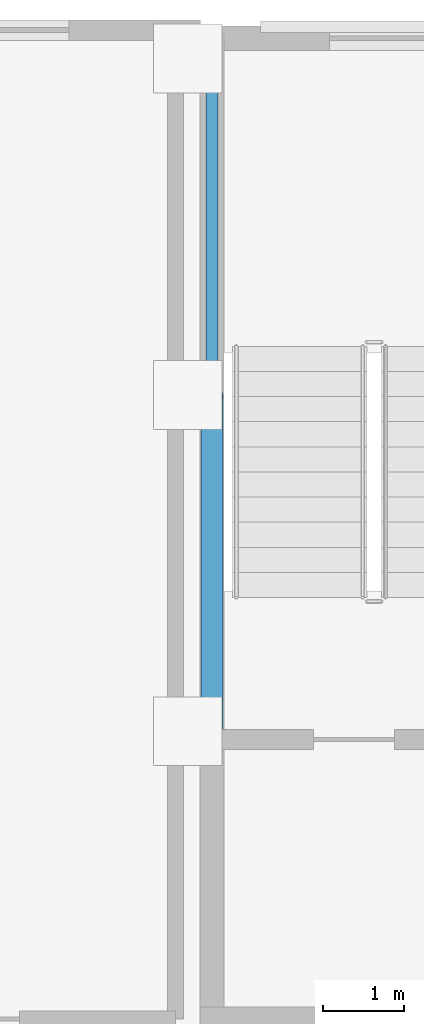
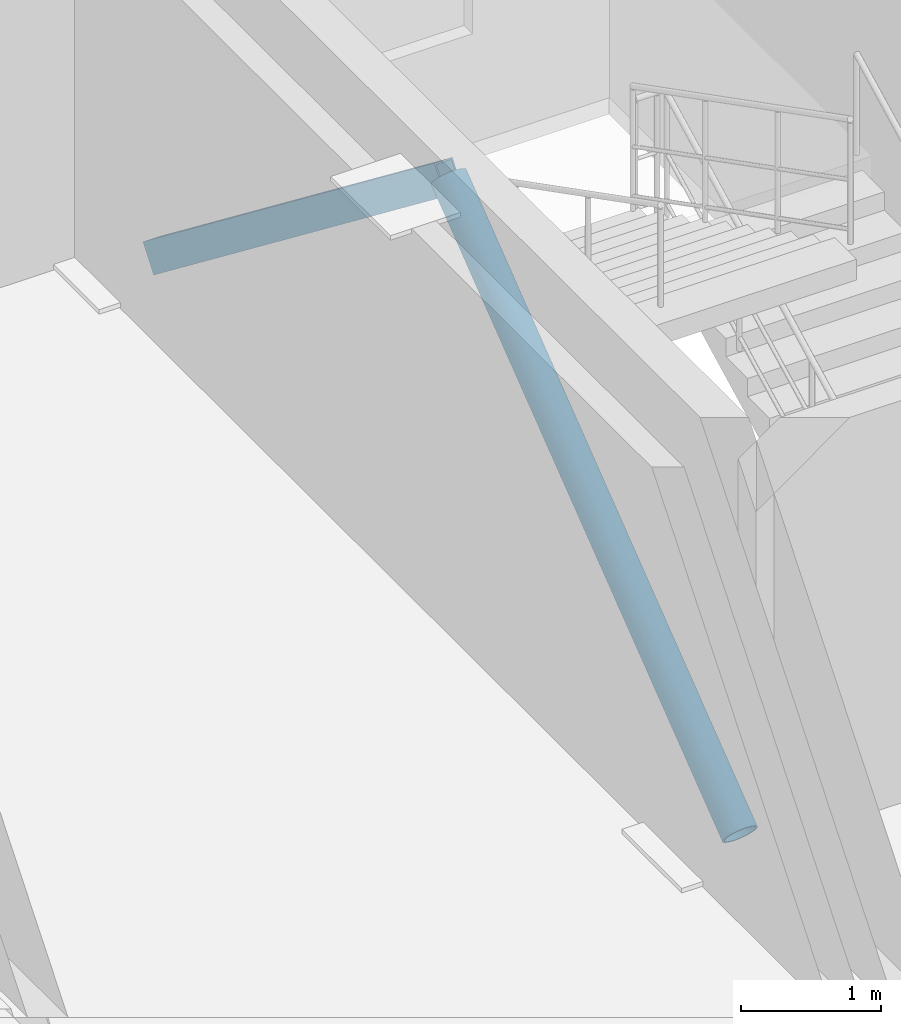
# One storey, part 2 of 6: 2 members.
"""IFC4 building model written with IfcOpenShell, lengths in metres."""

from ifc_helpers import new_model, si_unit, direction, frame, origin, origin_2d, place, context, subcontext, project, spatial, hollow_rectangle, hollow_circle, extrude, material, material_profile, profile_set, type_object, element, save


model = new_model("IFC4")

# Units and contexts
model_context = context("Model", 3, precision=1e-05, world=origin(), true_north=direction((0.0, 1.0)))
body_context = subcontext(model_context, "Body", "Model", "MODEL_VIEW")
ifc_project = project(units=[si_unit("LENGTHUNIT", "METRE"), si_unit("AREAUNIT", "SQUARE_METRE"), si_unit("VOLUMEUNIT", "CUBIC_METRE"), si_unit("PLANEANGLEUNIT", "RADIAN"), si_unit("MASSUNIT", "GRAM", prefix="KILO")], contexts=[model_context])

# Site, building, storey
site_placement = place(None, origin())
site = spatial("IfcSite", under=ifc_project, at=site_placement, CompositionType="ELEMENT")
building_placement = place(site_placement, origin())
building = spatial("IfcBuilding", under=site, at=building_placement, Name="Catumbela Crestline Tower", CompositionType="ELEMENT")
storey_placement = place(building_placement, frame((0.0, 0.0, 301.0)))
storey = spatial("IfcBuildingStorey", under=building, at=storey_placement, Name="L77", CompositionType="ELEMENT", Elevation=301.0)

# Members
ifc_material = material(Name="Structural steel S355J2", Category="steel")
ifc_material_profile_1 = material_profile(ifc_material, hollow_circle(Radius=0.1365, WallThickness=0.016, at=origin_2d()), Name="CHS 273x16")
ifc_profile_set_1 = profile_set([ifc_material_profile_1], Name="Structural steel S355J2")
member_type_1 = type_object("IfcMemberType", Name="CB-273", PredefinedType="BRACE", material=ifc_profile_set_1)
member_1_placement = place(storey_placement, frame((16.0, 34.35, 0.01), z_axis=(0.0, 0.791914074685, 0.610632539516), x_axis=(-1.0, 0.0, 0.0)))
element("IfcMember", 1, at=member_1_placement, inside=storey, type_object=member_type_1, Name="L77 Crown Wind Frame Brace 1", PredefinedType="BRACE", context=body_context, shape_type="SweptSolid", body=[
    extrude(hollow_circle(Radius=0.1365, WallThickness=0.016, at=origin_2d()), origin(), (0.0, 0.0, 1.0), 5.2405),
])
ifc_material_profile_2 = material_profile(ifc_material, hollow_rectangle(XDim=0.15, YDim=0.25, WallThickness=0.0125, at=origin_2d()), Name="RHS 250x150x12.5")
ifc_profile_set_2 = profile_set([ifc_material_profile_2], Name="Structural steel S355J2")
member_type_2 = type_object("IfcMemberType", Name="CS-250", PredefinedType="STRUT", material=ifc_profile_set_2)
member_2_placement = place(storey_placement, frame((16.0, 38.5, 3.21), z_axis=(0.0, 0.791914074685, -0.610632539516), x_axis=(-1.0, 0.0, 0.0)))
element("IfcMember", 2, at=member_2_placement, inside=storey, type_object=member_type_2, Name="L77 Crown Wind Frame Strut 2", PredefinedType="STRUT", context=body_context, shape_type="SweptSolid", body=[
    extrude(hollow_rectangle(XDim=0.15, YDim=0.25, WallThickness=0.0125, at=origin_2d()), origin(), (0.0, 0.0, 1.0), 5.2405),
])

save(model, "model.ifc")
